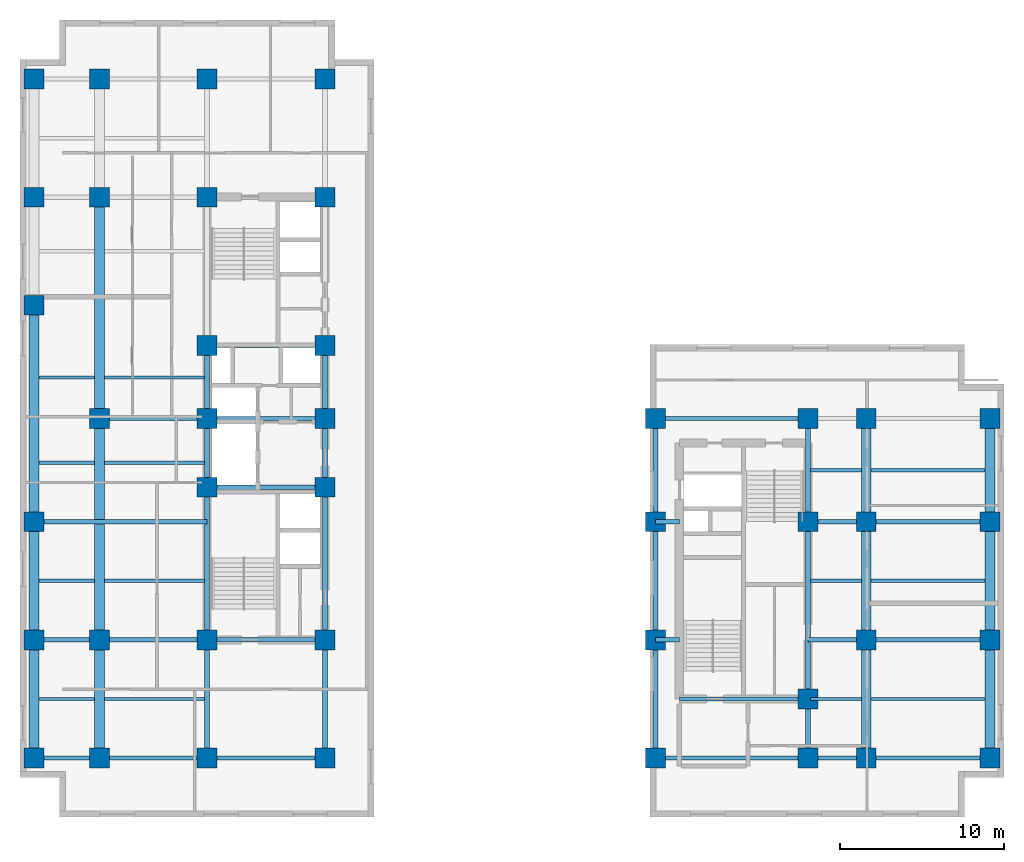
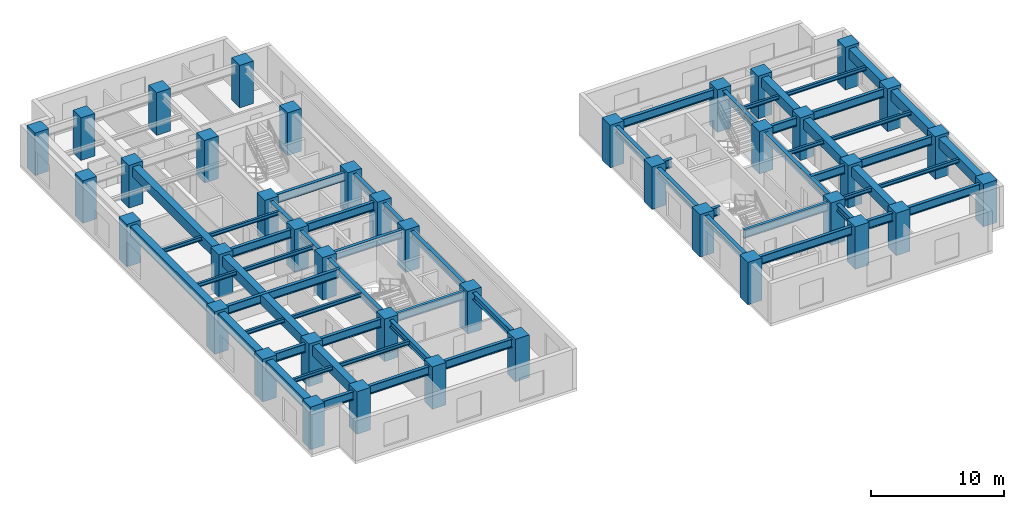
# One storey, part 1 of 9: 62 beams, 41 columns.
"""IFC4 building model written with IfcOpenShell, lengths in metres."""

import ifcopenshell
import ifcopenshell.guid

model = None  # the IFC model being written
_history = None  # IfcOwnerHistory: only IFC2X3 demands one
_inside = {}  # id of a spatial element -> (the spatial element, [elements in it])
_under = {}  # id of a project, library or spatial element -> (it, [spatial elements below it])
_declared = {}  # id of a project -> (the project, [libraries it declares])
_typed = {}  # id of a type object -> (the type object, [elements of that type])
_made_of = {}  # id of a material, layer set ... -> (it, [elements and type objects made of it])


def new_model(schema):
    """Start an empty IFC model of exactly this schema.

    Asked for "IFC4X3", IfcOpenShell would pick the latest addendum, in which some entities
    have other attributes; the version numbers below select the first issue.
    IFC2X3 requires an IfcOwnerHistory on every rooted entity: one is made here for all.
    """
    global model, _history
    if schema == "IFC4X3":
        model = ifcopenshell.file(schema_version=(4, 3, 0, 0))
    else:
        model = ifcopenshell.file(schema=schema)
    _inside.clear()
    _under.clear()
    _declared.clear()
    _typed.clear()
    _made_of.clear()
    _history = None
    if model.schema == "IFC2X3":
        org = make("IfcOrganization", Name="unknown")
        user = make(
            "IfcPersonAndOrganization",
            ThePerson=make("IfcPerson", FamilyName="unknown"),
            TheOrganization=org,
        )
        app = make(
            "IfcApplication",
            ApplicationDeveloper=org,
            Version="unknown",
            ApplicationFullName="unknown",
            ApplicationIdentifier="unknown",
        )
        _history = make(
            "IfcOwnerHistory",
            OwningUser=user,
            OwningApplication=app,
            ChangeAction="ADDED",
            CreationDate=0,
        )
    return model


def make(cls, **values):
    """One entity of the class cls with the attributes given. An attribute that is None is left unset."""
    return model.create_entity(
        cls, **{name: value for name, value in values.items() if value is not None}
    )


def entity(cls, *values):
    """Any entity or typed value of the class cls, its attributes in the order of the schema. None: left unset."""
    e = model.create_entity(cls)
    for i, value in enumerate(values):
        if value is not None:
            e[i] = value
    return e


def rooted(cls, **values):
    """An entity with a GlobalId (a new one), such as an element, a storey or a relation."""
    return make(cls, GlobalId=ifcopenshell.guid.new(), OwnerHistory=_history, **values)


def si_unit(unit_type, name, prefix=None):
    """IfcSIUnit, for example si_unit("LENGTHUNIT", "METRE", prefix="MILLI")."""
    return make("IfcSIUnit", UnitType=unit_type, Prefix=prefix, Name=name)


def converted_unit(unit_type, name, factor, base, dimensions=None, offset=None):
    """IfcConversionBasedUnit, such as the inch: factor (a typed value) times the base unit."""
    return make(
        "IfcConversionBasedUnit"
        if offset is None
        else "IfcConversionBasedUnitWithOffset",
        ConversionOffset=offset,
        Dimensions=None
        if dimensions is None
        else entity("IfcDimensionalExponents", *dimensions),
        UnitType=unit_type,
        Name=name,
        ConversionFactor=make(
            "IfcMeasureWithUnit", ValueComponent=factor, UnitComponent=base
        ),
    )


def assignment(units):
    """IfcUnitAssignment: the units of a project."""
    return None if units is None else make("IfcUnitAssignment", Units=units)


def point(xyz):
    """IfcCartesianPoint."""
    return None if xyz is None else make("IfcCartesianPoint", Coordinates=xyz)


def direction(xyz):
    """IfcDirection."""
    return None if xyz is None else make("IfcDirection", DirectionRatios=xyz)


def frame(location, z_axis=None, x_axis=None):
    """IfcAxis2Placement3D, a coordinate frame: its origin and axes. An axis left out is left unset."""
    return make(
        "IfcAxis2Placement3D",
        Location=point(location),
        Axis=direction(z_axis),
        RefDirection=direction(x_axis),
    )


def frame_2d(location, x_axis=None):
    """IfcAxis2Placement2D, a coordinate frame in the plane: its origin and x axis."""
    return make(
        "IfcAxis2Placement2D", Location=point(location), RefDirection=direction(x_axis)
    )


def origin_with_axes():
    """The frame at (0, 0, 0) with the z axis (0, 0, 1) and the x axis (1, 0, 0) written out."""
    return frame((0.0, 0.0, 0.0), z_axis=(0.0, 0.0, 1.0), x_axis=(1.0, 0.0, 0.0))


def origin_2d_with_axis():
    """The frame at (0, 0) in the plane with the x axis (1, 0) written out."""
    return frame_2d((0.0, 0.0), x_axis=(1.0, 0.0))


def place(relative_to, where):
    """IfcLocalPlacement: puts the frame where relative to a parent placement (None: the world)."""
    return make(
        "IfcLocalPlacement", PlacementRelTo=relative_to, RelativePlacement=where
    )


def context(
    kind, dimensions, precision=None, world=None, true_north=None, identifier=None
):
    """IfcGeometricRepresentationContext, for example the 3D "Model" context."""
    return make(
        "IfcGeometricRepresentationContext",
        ContextIdentifier=identifier,
        ContextType=kind,
        CoordinateSpaceDimension=dimensions,
        Precision=precision,
        WorldCoordinateSystem=world,
        TrueNorth=true_north,
    )


def subcontext(parent, identifier, kind, view, scale=None):
    """IfcGeometricRepresentationSubContext, for example "Body" below "Model"."""
    return make(
        "IfcGeometricRepresentationSubContext",
        ContextIdentifier=identifier,
        ContextType=kind,
        ParentContext=parent,
        TargetScale=scale,
        TargetView=view,
    )


def project(units=None, contexts=None):
    """IfcProject with its units and contexts."""
    return rooted(
        "IfcProject",
        Name="project",
        RepresentationContexts=contexts,
        UnitsInContext=assignment(units),
    )


def spatial(cls, under=None, at=None, **own):
    """A site, building, storey or space (cls), placed at a placement, below another one or the project."""
    s = rooted(cls, ObjectPlacement=at, **own)
    if under is not None:
        _under.setdefault(under.id(), (under, []))[1].append(s)
    return s


def profile(cls, at=None, kind="AREA", **sizes):
    """A parametric profile (cls). Its sizes go by their IFC names, for example OverallWidth=200.0."""
    return make(cls, ProfileType=kind, Position=at, **sizes)


def rectangle(**sizes):
    """IfcRectangleProfileDef."""
    return profile("IfcRectangleProfileDef", **sizes)


def i_section(**sizes):
    """IfcIShapeProfileDef."""
    return profile("IfcIShapeProfileDef", **sizes)


def extrude(swept, where, along, depth):
    """IfcExtrudedAreaSolid: the profile swept, set in the frame where, extruded along a direction by depth."""
    return make(
        "IfcExtrudedAreaSolid",
        SweptArea=swept,
        Position=where,
        ExtrudedDirection=direction(along),
        Depth=depth,
    )


def shape(context_of_items, identifier, shape_type, items):
    """IfcShapeRepresentation: the items that make up one representation, for example the "Body"."""
    return make(
        "IfcShapeRepresentation",
        ContextOfItems=context_of_items,
        RepresentationIdentifier=identifier,
        RepresentationType=shape_type,
        Items=items,
    )


def material(Name=None, Category=None):
    """IfcMaterial."""
    return make("IfcMaterial", Name=Name, Category=Category)


def material_profile(
    of_material, cross_section, Name=None, Category=None, Priority=None
):
    """IfcMaterialProfile: a cross section and its material."""
    return make(
        "IfcMaterialProfile",
        Name=Name,
        Material=of_material,
        Profile=cross_section,
        Priority=Priority,
        Category=Category,
    )


def profile_set(profiles, Name=None, composite=None):
    """IfcMaterialProfileSet."""
    return make(
        "IfcMaterialProfileSet",
        Name=Name,
        MaterialProfiles=profiles,
        CompositeProfile=composite,
    )


def made_of(thing, what):
    """Note that an element or type object is made of a material, layer set ...; save() writes the relation."""
    if what is not None:
        _made_of.setdefault(what.id(), (what, []))[1].append(thing)
    return thing


def type_object(cls, material=None, **own):
    """A type object (cls), such as IfcWallType, which elements share."""
    return made_of(rooted(cls, **own), material)


def element(
    cls,
    number,
    at=None,
    inside=None,
    cuts=None,
    type_object=None,
    material=None,
    context=None,
    identifier="Body",
    shape_type=None,
    held_by="IfcProductDefinitionShape",
    body=None,
    shapes=None,
    **own,
):
    """One element of the class cls, such as IfcWall. Its Tag is "e" and its number.

    at: its placement. inside: the storey or other place that contains it. cuts: it is an
    opening in that element (IfcRelVoidsElement). A single representation is given by context,
    identifier, shape_type and body (its items); several are given by shapes. held_by: the class
    of the entity that holds the representations. save() writes the other relations.
    """
    e = rooted(cls, Tag="e%d" % number, ObjectPlacement=at, **own)
    if body is not None:
        shapes = [shape(context, identifier, shape_type, body)]
    if shapes is not None:
        e.Representation = make(held_by, Representations=shapes)
    if inside is not None:
        _inside.setdefault(inside.id(), (inside, []))[1].append(e)
    if cuts is not None:
        rooted(
            "IfcRelVoidsElement", RelatingBuildingElement=cuts, RelatedOpeningElement=e
        )
    if type_object is not None:
        _typed.setdefault(type_object.id(), (type_object, []))[1].append(e)
    return made_of(e, material)


def aggregate(whole, parts):
    """IfcRelAggregates: a whole, such as a stair, and the parts it consists of."""
    return rooted("IfcRelAggregates", RelatingObject=whole, RelatedObjects=parts)


def save(model, path):
    """Write the relations noted so far, then the file.

    IfcRelAggregates (storeys below a building ...), IfcRelContainedInSpatialStructure (elements
    in a storey), IfcRelDefinesByType, IfcRelAssociatesMaterial and IfcRelDeclares: one each for
    every whole, place, type object, material and project.
    """
    for whole, parts in _under.values():
        aggregate(whole, parts)
    for where, things in _inside.values():
        rooted(
            "IfcRelContainedInSpatialStructure",
            RelatedElements=things,
            RelatingStructure=where,
        )
    for kind, things in _typed.values():
        rooted("IfcRelDefinesByType", RelatedObjects=things, RelatingType=kind)
    for what, things in _made_of.values():
        rooted("IfcRelAssociatesMaterial", RelatedObjects=things, RelatingMaterial=what)
    for by, libraries in _declared.values():
        rooted("IfcRelDeclares", RelatingContext=by, RelatedDefinitions=libraries)
    model.write(path)


model = new_model("IFC4")

# Units and contexts
model_context = context("Model", 3, precision=1e-05, world=origin_with_axes(), true_north=direction((0.0, 1.0)))
body_context = subcontext(model_context, "Body", "Model", "MODEL_VIEW")
ifc_project = project(units=[si_unit("LENGTHUNIT", "METRE"), si_unit("AREAUNIT", "SQUARE_METRE"), si_unit("VOLUMEUNIT", "CUBIC_METRE"), converted_unit("PLANEANGLEUNIT", "DEGREE", entity("IfcPlaneAngleMeasure", 0.017453292519943295), si_unit("PLANEANGLEUNIT", "RADIAN"), dimensions=[0, 0, 0, 0, 0, 0, 0]), si_unit("MASSUNIT", "GRAM", prefix="KILO"), si_unit("THERMODYNAMICTEMPERATUREUNIT", "KELVIN")], contexts=[model_context])

# Site, building, storey
site_placement = place(None, origin_with_axes())
site = spatial("IfcSite", under=ifc_project, at=site_placement, CompositionType="ELEMENT")
building_placement = place(site_placement, origin_with_axes())
building = spatial("IfcBuilding", under=site, at=building_placement, Name="Varnlund Millrace Tower", CompositionType="ELEMENT")
storey_placement = place(building_placement, frame((0.0, 0.0, 112.5), z_axis=(0.0, 0.0, 1.0), x_axis=(1.0, 0.0, 0.0)))
storey = spatial("IfcBuildingStorey", under=building, at=storey_placement, Name="L27", CompositionType="ELEMENT", Elevation=112.5)

# Columns
ifc_material_1 = material(Name="Concrete C80/95", Category="concrete")
ifc_material_profile_1 = material_profile(ifc_material_1, rectangle(XDim=1.2, YDim=1.2, at=origin_2d_with_axis()), Name="Concrete C80/95")
ifc_profile_set_1 = profile_set([ifc_material_profile_1], Name="Concrete C80/95")
column_type = type_object("IfcColumnType", Name="Type-Col-RC1200-C80", PredefinedType="COLUMN", material=ifc_profile_set_1)
for number, where, z_axis, x_axis, name in (
    (1, (11.4, 3.6, 0.0), (0.0, 0.0, 1.0), (1.0, 0.0, 0.0), "Type-Col-RC1200-C80"),
    (2, (11.4, 10.8, 0.0), (0.0, 0.0, 1.0), (1.0, 0.0, 0.0), "Type-Col-RC1200-C80"),
    (3, (11.4, 20.1, 0.0), (0.0, 0.0, 1.0), (1.0, 0.0, 0.0), "Type-Col-RC1200-C80"),
    (4, (11.4, 24.3, 0.0), (0.0, 0.0, 1.0), (1.0, 0.0, 0.0), "Type-Col-RC1200-C80"),
    (5, (11.4, 28.75, 0.0), (0.0, 0.0, 1.0), (1.0, 0.0, 0.0), "Type-Col-RC1200-C80"),
    (6, (11.4, 37.8, 0.0), (0.0, 0.0, 1.0), (1.0, 0.0, 0.0), "Type-Col-RC1200-C80"),
    (7, (11.4, 45.0, 0.0), (0.0, 0.0, 1.0), (1.0, 0.0, 0.0), "Type-Col-RC1200-C80"),
    (8, (18.6, 3.6, 0.0), (0.0, 0.0, 1.0), (1.0, 0.0, 0.0), "Type-Col-RC1200-C80"),
    (9, (18.6, 10.8, 0.0), (0.0, 0.0, 1.0), (1.0, 0.0, 0.0), "Type-Col-RC1200-C80"),
    (10, (18.6, 20.1, 0.0), (0.0, 0.0, 1.0), (1.0, 0.0, 0.0), "Type-Col-RC1200-C80"),
    (11, (18.6, 24.3, 0.0), (0.0, 0.0, 1.0), (1.0, 0.0, 0.0), "Type-Col-RC1200-C80"),
    (12, (18.6, 28.75, 0.0), (0.0, 0.0, 1.0), (1.0, 0.0, 0.0), "Type-Col-RC1200-C80"),
    (13, (18.6, 37.8, 0.0), (0.0, 0.0, 1.0), (1.0, 0.0, 0.0), "Type-Col-RC1200-C80"),
    (14, (18.6, 45.0, 0.0), (0.0, 0.0, 1.0), (1.0, 0.0, 0.0), "Type-Col-RC1200-C80"),
    (15, (4.85, 3.6, 0.0), (0.0, 0.0, 1.0), (1.0, 0.0, 0.0), "Type-Col-RC1200-C80"),
    (16, (4.85, 10.8, 0.0), (0.0, 0.0, 1.0), (1.0, 0.0, 0.0), "Type-Col-RC1200-C80"),
    (17, (4.85, 24.3, 0.0), (0.0, 0.0, 1.0), (1.0, 0.0, 0.0), "Type-Col-RC1200-C80"),
    (18, (4.85, 37.8, 0.0), (0.0, 0.0, 1.0), (1.0, 0.0, 0.0), "Type-Col-RC1200-C80"),
    (19, (4.85, 45.0, 0.0), (0.0, 0.0, 1.0), (1.0, 0.0, 0.0), "Type-Col-RC1200-C80"),
    (20, (0.85, 3.6, 0.0), (0.0, 0.0, 1.0), (1.0, 0.0, 0.0), "Type-Col-RC1200-C80"),
    (21, (0.85, 10.8, 0.0), (0.0, 0.0, 1.0), (1.0, 0.0, 0.0), "Type-Col-RC1200-C80"),
    (22, (0.85, 18.0, 0.0), (0.0, 0.0, 1.0), (1.0, 0.0, 0.0), "Type-Col-RC1200-C80"),
    (23, (0.85, 31.2, 0.0), (0.0, 0.0, 1.0), (1.0, 0.0, 0.0), "Type-Col-RC1200-C80"),
    (24, (0.85, 37.8, 0.0), (0.0, 0.0, 1.0), (1.0, 0.0, 0.0), "Type-Col-RC1200-C80"),
    (25, (0.85, 45.0, 0.0), (0.0, 0.0, 1.0), (1.0, 0.0, 0.0), "Type-Col-RC1200-C80"),
    (26, (38.75, 3.6, 0.0), (0.0, 0.0, 1.0), (1.0, 0.0, 0.0), "Type-Col-RC1200-C80"),
    (27, (38.75, 10.8, 0.0), (0.0, 0.0, 1.0), (1.0, 0.0, 0.0), "Type-Col-RC1200-C80"),
    (28, (38.75, 18.0, 0.0), (0.0, 0.0, 1.0), (1.0, 0.0, 0.0), "Type-Col-RC1200-C80"),
    (29, (38.75, 24.3, 0.0), (0.0, 0.0, 1.0), (1.0, 0.0, 0.0), "Type-Col-RC1200-C80"),
    (30, (48.05, 3.6, 0.0), (0.0, 0.0, 1.0), (1.0, 0.0, 0.0), "Type-Col-RC1200-C80"),
    (31, (48.05, 7.2, 0.0), (0.0, 0.0, 1.0), (1.0, 0.0, 0.0), "Type-Col-RC1200-C80"),
    (32, (48.05, 18.0, 0.0), (0.0, 0.0, 1.0), (1.0, 0.0, 0.0), "Type-Col-RC1200-C80"),
    (33, (48.05, 24.3, 0.0), (0.0, 0.0, 1.0), (1.0, 0.0, 0.0), "Type-Col-RC1200-C80"),
    (34, (51.6, 3.6, 0.0), (0.0, 0.0, 1.0), (1.0, 0.0, 0.0), "Type-Col-RC1200-C80"),
    (35, (51.6, 10.8, 0.0), (0.0, 0.0, 1.0), (1.0, 0.0, 0.0), "Type-Col-RC1200-C80"),
    (36, (51.6, 18.0, 0.0), (0.0, 0.0, 1.0), (1.0, 0.0, 0.0), "Type-Col-RC1200-C80"),
    (37, (51.6, 24.3, 0.0), (0.0, 0.0, 1.0), (1.0, 0.0, 0.0), "Type-Col-RC1200-C80"),
    (38, (59.15, 3.6, 0.0), (0.0, 0.0, 1.0), (1.0, 0.0, 0.0), "Type-Col-RC1200-C80"),
    (39, (59.15, 10.8, 0.0), (0.0, 0.0, 1.0), (1.0, 0.0, 0.0), "Type-Col-RC1200-C80"),
    (40, (59.15, 18.0, 0.0), (0.0, 0.0, 1.0), (1.0, 0.0, 0.0), "Type-Col-RC1200-C80"),
    (41, (59.15, 24.3, 0.0), (0.0, 0.0, 1.0), (1.0, 0.0, 0.0), "Type-Col-RC1200-C80"),
):
    element("IfcColumn", number, at=place(storey_placement, frame(where, z_axis=z_axis, x_axis=x_axis)), inside=storey, type_object=column_type, Name=name, PredefinedType="COLUMN", context=body_context, shape_type="SweptSolid", body=[
        extrude(rectangle(XDim=1.2, YDim=1.2, at=origin_2d_with_axis()), origin_with_axes(), (0.0, 0.0, 1.0), 3.9),
    ])

# Beams
ifc_material_2 = material(Name="Steel ASTM A992 Grade 50", Category="steel")
ifc_material_profile_2 = material_profile(ifc_material_2, i_section(OverallWidth=0.328, OverallDepth=0.628, WebThickness=0.0165, FlangeThickness=0.0277, FilletRadius=0.018, at=origin_2d_with_axis()), Name="Steel ASTM A992 Grade 50")
ifc_profile_set_2 = profile_set([ifc_material_profile_2], Name="Steel ASTM A992 Grade 50")
beam_type_1 = type_object("IfcBeamType", Name="Type-Girder-W24X146", PredefinedType="USERDEFINED", material=ifc_profile_set_2)
beam_1_placement = place(storey_placement, frame((11.4, 3.6, 3.346), z_axis=(0.0, 1.0, 0.0), x_axis=(-1.0, 0.0, 0.0)))
element("IfcBeam", 42, at=beam_1_placement, inside=storey, type_object=beam_type_1, Name="Type-Girder-W24X146", ObjectType="GIRDER", PredefinedType="USERDEFINED", context=body_context, shape_type="SweptSolid", body=[
    extrude(i_section(OverallWidth=0.328, OverallDepth=0.628, WebThickness=0.0165, FlangeThickness=0.0277, FilletRadius=0.018, at=origin_2d_with_axis()), origin_with_axes(), (0.0, 0.0, 1.0), 7.2),
])
beam_2_placement = place(storey_placement, frame((11.4, 10.8, 3.346), z_axis=(0.0, 1.0, 0.0), x_axis=(-1.0, 0.0, 0.0)))
element("IfcBeam", 43, at=beam_2_placement, inside=storey, type_object=beam_type_1, Name="Type-Girder-W24X146", ObjectType="GIRDER", PredefinedType="USERDEFINED", context=body_context, shape_type="SweptSolid", body=[
    extrude(i_section(OverallWidth=0.328, OverallDepth=0.628, WebThickness=0.0165, FlangeThickness=0.0277, FilletRadius=0.018, at=origin_2d_with_axis()), origin_with_axes(), (0.0, 0.0, 1.0), 9.3),
])
beam_3_placement = place(storey_placement, frame((11.4, 20.1, 3.346), z_axis=(0.0, 1.0, 0.0), x_axis=(-1.0, 0.0, 0.0)))
element("IfcBeam", 44, at=beam_3_placement, inside=storey, type_object=beam_type_1, Name="Type-Girder-W24X146", ObjectType="GIRDER", PredefinedType="USERDEFINED", context=body_context, shape_type="SweptSolid", body=[
    extrude(i_section(OverallWidth=0.328, OverallDepth=0.628, WebThickness=0.0165, FlangeThickness=0.0277, FilletRadius=0.018, at=origin_2d_with_axis()), origin_with_axes(), (0.0, 0.0, 1.0), 4.2),
])
beam_4_placement = place(storey_placement, frame((11.4, 24.3, 3.346), z_axis=(0.0, 1.0, 0.0), x_axis=(-1.0, 0.0, 0.0)))
element("IfcBeam", 45, at=beam_4_placement, inside=storey, type_object=beam_type_1, Name="Type-Girder-W24X146", ObjectType="GIRDER", PredefinedType="USERDEFINED", context=body_context, shape_type="SweptSolid", body=[
    extrude(i_section(OverallWidth=0.328, OverallDepth=0.628, WebThickness=0.0165, FlangeThickness=0.0277, FilletRadius=0.018, at=origin_2d_with_axis()), origin_with_axes(), (0.0, 0.0, 1.0), 4.45),
])
beam_5_placement = place(storey_placement, frame((18.6, 3.6, 3.346), z_axis=(0.0, 1.0, 0.0), x_axis=(-1.0, 0.0, 0.0)))
element("IfcBeam", 46, at=beam_5_placement, inside=storey, type_object=beam_type_1, Name="Type-Girder-W24X146", ObjectType="GIRDER", PredefinedType="USERDEFINED", context=body_context, shape_type="SweptSolid", body=[
    extrude(i_section(OverallWidth=0.328, OverallDepth=0.628, WebThickness=0.0165, FlangeThickness=0.0277, FilletRadius=0.018, at=origin_2d_with_axis()), origin_with_axes(), (0.0, 0.0, 1.0), 7.2),
])
beam_6_placement = place(storey_placement, frame((18.6, 10.8, 3.346), z_axis=(0.0, 1.0, 0.0), x_axis=(-1.0, 0.0, 0.0)))
element("IfcBeam", 47, at=beam_6_placement, inside=storey, type_object=beam_type_1, Name="Type-Girder-W24X146", ObjectType="GIRDER", PredefinedType="USERDEFINED", context=body_context, shape_type="SweptSolid", body=[
    extrude(i_section(OverallWidth=0.328, OverallDepth=0.628, WebThickness=0.0165, FlangeThickness=0.0277, FilletRadius=0.018, at=origin_2d_with_axis()), origin_with_axes(), (0.0, 0.0, 1.0), 9.3),
])
beam_7_placement = place(storey_placement, frame((18.6, 20.1, 3.346), z_axis=(0.0, 1.0, 0.0), x_axis=(-1.0, 0.0, 0.0)))
element("IfcBeam", 48, at=beam_7_placement, inside=storey, type_object=beam_type_1, Name="Type-Girder-W24X146", ObjectType="GIRDER", PredefinedType="USERDEFINED", context=body_context, shape_type="SweptSolid", body=[
    extrude(i_section(OverallWidth=0.328, OverallDepth=0.628, WebThickness=0.0165, FlangeThickness=0.0277, FilletRadius=0.018, at=origin_2d_with_axis()), origin_with_axes(), (0.0, 0.0, 1.0), 4.2),
])
beam_8_placement = place(storey_placement, frame((18.6, 24.3, 3.346), z_axis=(0.0, 1.0, 0.0), x_axis=(-1.0, 0.0, 0.0)))
element("IfcBeam", 49, at=beam_8_placement, inside=storey, type_object=beam_type_1, Name="Type-Girder-W24X146", ObjectType="GIRDER", PredefinedType="USERDEFINED", context=body_context, shape_type="SweptSolid", body=[
    extrude(i_section(OverallWidth=0.328, OverallDepth=0.628, WebThickness=0.0165, FlangeThickness=0.0277, FilletRadius=0.018, at=origin_2d_with_axis()), origin_with_axes(), (0.0, 0.0, 1.0), 4.45),
])
for number, where, z_axis, x_axis, name in (
    (50, (38.75, 3.6, 3.346), (0.0, 1.0, 0.0), (-1.0, 0.0, 0.0), "Type-Girder-W24X146"),
    (51, (38.75, 10.8, 3.346), (0.0, 1.0, 0.0), (-1.0, 0.0, 0.0), "Type-Girder-W24X146"),
):
    element("IfcBeam", number, at=place(storey_placement, frame(where, z_axis=z_axis, x_axis=x_axis)), inside=storey, type_object=beam_type_1, Name=name, ObjectType="GIRDER", PredefinedType="USERDEFINED", context=body_context, shape_type="SweptSolid", body=[
        extrude(i_section(OverallWidth=0.328, OverallDepth=0.628, WebThickness=0.0165, FlangeThickness=0.0277, FilletRadius=0.018, at=origin_2d_with_axis()), origin_with_axes(), (0.0, 0.0, 1.0), 7.2),
    ])
beam_9_placement = place(storey_placement, frame((38.75, 18.0, 3.346), z_axis=(0.0, 1.0, 0.0), x_axis=(-1.0, 0.0, 0.0)))
element("IfcBeam", 52, at=beam_9_placement, inside=storey, type_object=beam_type_1, Name="Type-Girder-W24X146", ObjectType="GIRDER", PredefinedType="USERDEFINED", context=body_context, shape_type="SweptSolid", body=[
    extrude(i_section(OverallWidth=0.328, OverallDepth=0.628, WebThickness=0.0165, FlangeThickness=0.0277, FilletRadius=0.018, at=origin_2d_with_axis()), origin_with_axes(), (0.0, 0.0, 1.0), 6.3),
])
beam_10_placement = place(storey_placement, frame((48.05, 3.6, 3.346), z_axis=(0.0, 1.0, 0.0), x_axis=(-1.0, 0.0, 0.0)))
element("IfcBeam", 53, at=beam_10_placement, inside=storey, type_object=beam_type_1, Name="Type-Girder-W24X146", ObjectType="GIRDER", PredefinedType="USERDEFINED", context=body_context, shape_type="SweptSolid", body=[
    extrude(i_section(OverallWidth=0.328, OverallDepth=0.628, WebThickness=0.0165, FlangeThickness=0.0277, FilletRadius=0.018, at=origin_2d_with_axis()), origin_with_axes(), (0.0, 0.0, 1.0), 3.6),
])
beam_11_placement = place(storey_placement, frame((48.05, 7.2, 3.346), z_axis=(0.0, 1.0, 0.0), x_axis=(-1.0, 0.0, 0.0)))
element("IfcBeam", 54, at=beam_11_placement, inside=storey, type_object=beam_type_1, Name="Type-Girder-W24X146", ObjectType="GIRDER", PredefinedType="USERDEFINED", context=body_context, shape_type="SweptSolid", body=[
    extrude(i_section(OverallWidth=0.328, OverallDepth=0.628, WebThickness=0.0165, FlangeThickness=0.0277, FilletRadius=0.018, at=origin_2d_with_axis()), origin_with_axes(), (0.0, 0.0, 1.0), 10.8),
])
beam_12_placement = place(storey_placement, frame((48.05, 18.0, 3.346), z_axis=(0.0, 1.0, 0.0), x_axis=(-1.0, 0.0, 0.0)))
element("IfcBeam", 55, at=beam_12_placement, inside=storey, type_object=beam_type_1, Name="Type-Girder-W24X146", ObjectType="GIRDER", PredefinedType="USERDEFINED", context=body_context, shape_type="SweptSolid", body=[
    extrude(i_section(OverallWidth=0.328, OverallDepth=0.628, WebThickness=0.0165, FlangeThickness=0.0277, FilletRadius=0.018, at=origin_2d_with_axis()), origin_with_axes(), (0.0, 0.0, 1.0), 6.3),
])
ifc_material_profile_3 = material_profile(ifc_material_2, i_section(OverallWidth=0.266, OverallDepth=0.779, WebThickness=0.0165, FlangeThickness=0.03, FilletRadius=0.02, at=origin_2d_with_axis()), Name="Steel ASTM A992 Grade 50")
ifc_profile_set_3 = profile_set([ifc_material_profile_3], Name="Steel ASTM A992 Grade 50")
beam_type_2 = type_object("IfcBeamType", Name="Type-Girder-W30X148", PredefinedType="USERDEFINED", material=ifc_profile_set_3)
beam_13_placement = place(storey_placement, frame((0.85, 3.6, 3.2705), z_axis=(1.0, 0.0, 0.0), x_axis=(0.0, 1.0, 0.0)))
element("IfcBeam", 56, at=beam_13_placement, inside=storey, type_object=beam_type_2, Name="Type-Girder-W30X148", ObjectType="GIRDER", PredefinedType="USERDEFINED", context=body_context, shape_type="SweptSolid", body=[
    extrude(i_section(OverallWidth=0.266, OverallDepth=0.779, WebThickness=0.0165, FlangeThickness=0.03, FilletRadius=0.02, at=origin_2d_with_axis()), origin_with_axes(), (0.0, 0.0, 1.0), 4.0),
])
beam_14_placement = place(storey_placement, frame((4.85, 3.6, 3.2705), z_axis=(1.0, 0.0, 0.0), x_axis=(0.0, 1.0, 0.0)))
element("IfcBeam", 57, at=beam_14_placement, inside=storey, type_object=beam_type_2, Name="Type-Girder-W30X148", ObjectType="GIRDER", PredefinedType="USERDEFINED", context=body_context, shape_type="SweptSolid", body=[
    extrude(i_section(OverallWidth=0.266, OverallDepth=0.779, WebThickness=0.0165, FlangeThickness=0.03, FilletRadius=0.02, at=origin_2d_with_axis()), origin_with_axes(), (0.0, 0.0, 1.0), 6.55),
])
beam_15_placement = place(storey_placement, frame((11.4, 3.6, 3.2705), z_axis=(1.0, 0.0, 0.0), x_axis=(0.0, 1.0, 0.0)))
element("IfcBeam", 58, at=beam_15_placement, inside=storey, type_object=beam_type_2, Name="Type-Girder-W30X148", ObjectType="GIRDER", PredefinedType="USERDEFINED", context=body_context, shape_type="SweptSolid", body=[
    extrude(i_section(OverallWidth=0.266, OverallDepth=0.779, WebThickness=0.0165, FlangeThickness=0.03, FilletRadius=0.02, at=origin_2d_with_axis()), origin_with_axes(), (0.0, 0.0, 1.0), 7.2),
])
beam_16_placement = place(storey_placement, frame((38.75, 3.6, 3.2705), z_axis=(1.0, 0.0, 0.0), x_axis=(0.0, 1.0, 0.0)))
element("IfcBeam", 59, at=beam_16_placement, inside=storey, type_object=beam_type_2, Name="Type-Girder-W30X148", ObjectType="GIRDER", PredefinedType="USERDEFINED", context=body_context, shape_type="SweptSolid", body=[
    extrude(i_section(OverallWidth=0.266, OverallDepth=0.779, WebThickness=0.0165, FlangeThickness=0.03, FilletRadius=0.02, at=origin_2d_with_axis()), origin_with_axes(), (0.0, 0.0, 1.0), 9.3),
])
beam_17_placement = place(storey_placement, frame((48.05, 3.6, 3.2705), z_axis=(1.0, 0.0, 0.0), x_axis=(0.0, 1.0, 0.0)))
element("IfcBeam", 60, at=beam_17_placement, inside=storey, type_object=beam_type_2, Name="Type-Girder-W30X148", ObjectType="GIRDER", PredefinedType="USERDEFINED", context=body_context, shape_type="SweptSolid", body=[
    extrude(i_section(OverallWidth=0.266, OverallDepth=0.779, WebThickness=0.0165, FlangeThickness=0.03, FilletRadius=0.02, at=origin_2d_with_axis()), origin_with_axes(), (0.0, 0.0, 1.0), 3.55),
])
beam_18_placement = place(storey_placement, frame((51.6, 3.6, 3.2705), z_axis=(1.0, 0.0, 0.0), x_axis=(0.0, 1.0, 0.0)))
element("IfcBeam", 61, at=beam_18_placement, inside=storey, type_object=beam_type_2, Name="Type-Girder-W30X148", ObjectType="GIRDER", PredefinedType="USERDEFINED", context=body_context, shape_type="SweptSolid", body=[
    extrude(i_section(OverallWidth=0.266, OverallDepth=0.779, WebThickness=0.0165, FlangeThickness=0.03, FilletRadius=0.02, at=origin_2d_with_axis()), origin_with_axes(), (0.0, 0.0, 1.0), 7.55),
])
beam_19_placement = place(storey_placement, frame((40.2, 7.2, 3.2705), z_axis=(1.0, 0.0, 0.0), x_axis=(0.0, 1.0, 0.0)))
element("IfcBeam", 62, at=beam_19_placement, inside=storey, type_object=beam_type_2, Name="Type-Girder-W30X148", ObjectType="GIRDER", PredefinedType="USERDEFINED", context=body_context, shape_type="SweptSolid", body=[
    extrude(i_section(OverallWidth=0.266, OverallDepth=0.779, WebThickness=0.0165, FlangeThickness=0.03, FilletRadius=0.02, at=origin_2d_with_axis()), origin_with_axes(), (0.0, 0.0, 1.0), 7.85),
])
beam_20_placement = place(storey_placement, frame((0.85, 10.8, 3.2705), z_axis=(1.0, 0.0, 0.0), x_axis=(0.0, 1.0, 0.0)))
element("IfcBeam", 63, at=beam_20_placement, inside=storey, type_object=beam_type_2, Name="Type-Girder-W30X148", ObjectType="GIRDER", PredefinedType="USERDEFINED", context=body_context, shape_type="SweptSolid", body=[
    extrude(i_section(OverallWidth=0.266, OverallDepth=0.779, WebThickness=0.0165, FlangeThickness=0.03, FilletRadius=0.02, at=origin_2d_with_axis()), origin_with_axes(), (0.0, 0.0, 1.0), 4.0),
])
beam_21_placement = place(storey_placement, frame((4.85, 10.8, 3.2705), z_axis=(1.0, 0.0, 0.0), x_axis=(0.0, 1.0, 0.0)))
element("IfcBeam", 64, at=beam_21_placement, inside=storey, type_object=beam_type_2, Name="Type-Girder-W30X148", ObjectType="GIRDER", PredefinedType="USERDEFINED", context=body_context, shape_type="SweptSolid", body=[
    extrude(i_section(OverallWidth=0.266, OverallDepth=0.779, WebThickness=0.0165, FlangeThickness=0.03, FilletRadius=0.02, at=origin_2d_with_axis()), origin_with_axes(), (0.0, 0.0, 1.0), 6.55),
])
beam_22_placement = place(storey_placement, frame((11.4, 10.8, 3.2705), z_axis=(1.0, 0.0, 0.0), x_axis=(0.0, 1.0, 0.0)))
element("IfcBeam", 65, at=beam_22_placement, inside=storey, type_object=beam_type_2, Name="Type-Girder-W30X148", ObjectType="GIRDER", PredefinedType="USERDEFINED", context=body_context, shape_type="SweptSolid", body=[
    extrude(i_section(OverallWidth=0.266, OverallDepth=0.779, WebThickness=0.0165, FlangeThickness=0.03, FilletRadius=0.02, at=origin_2d_with_axis()), origin_with_axes(), (0.0, 0.0, 1.0), 7.2),
])
beam_23_placement = place(storey_placement, frame((38.75, 10.8, 3.2705), z_axis=(1.0, 0.0, 0.0), x_axis=(0.0, 1.0, 0.0)))
element("IfcBeam", 66, at=beam_23_placement, inside=storey, type_object=beam_type_2, Name="Type-Girder-W30X148", ObjectType="GIRDER", PredefinedType="USERDEFINED", context=body_context, shape_type="SweptSolid", body=[
    extrude(i_section(OverallWidth=0.266, OverallDepth=0.779, WebThickness=0.0165, FlangeThickness=0.03, FilletRadius=0.02, at=origin_2d_with_axis()), origin_with_axes(), (0.0, 0.0, 1.0), 1.45),
])
beam_24_placement = place(storey_placement, frame((48.05, 10.8, 3.2705), z_axis=(1.0, 0.0, 0.0), x_axis=(0.0, 1.0, 0.0)))
element("IfcBeam", 67, at=beam_24_placement, inside=storey, type_object=beam_type_2, Name="Type-Girder-W30X148", ObjectType="GIRDER", PredefinedType="USERDEFINED", context=body_context, shape_type="SweptSolid", body=[
    extrude(i_section(OverallWidth=0.266, OverallDepth=0.779, WebThickness=0.0165, FlangeThickness=0.03, FilletRadius=0.02, at=origin_2d_with_axis()), origin_with_axes(), (0.0, 0.0, 1.0), 3.55),
])
beam_25_placement = place(storey_placement, frame((51.6, 10.8, 3.2705), z_axis=(1.0, 0.0, 0.0), x_axis=(0.0, 1.0, 0.0)))
element("IfcBeam", 68, at=beam_25_placement, inside=storey, type_object=beam_type_2, Name="Type-Girder-W30X148", ObjectType="GIRDER", PredefinedType="USERDEFINED", context=body_context, shape_type="SweptSolid", body=[
    extrude(i_section(OverallWidth=0.266, OverallDepth=0.779, WebThickness=0.0165, FlangeThickness=0.03, FilletRadius=0.02, at=origin_2d_with_axis()), origin_with_axes(), (0.0, 0.0, 1.0), 7.55),
])
beam_26_placement = place(storey_placement, frame((0.85, 18.0, 3.2705), z_axis=(1.0, 0.0, 0.0), x_axis=(0.0, 1.0, 0.0)))
element("IfcBeam", 69, at=beam_26_placement, inside=storey, type_object=beam_type_2, Name="Type-Girder-W30X148", ObjectType="GIRDER", PredefinedType="USERDEFINED", context=body_context, shape_type="SweptSolid", body=[
    extrude(i_section(OverallWidth=0.266, OverallDepth=0.779, WebThickness=0.0165, FlangeThickness=0.03, FilletRadius=0.02, at=origin_2d_with_axis()), origin_with_axes(), (0.0, 0.0, 1.0), 10.55),
])
beam_27_placement = place(storey_placement, frame((38.75, 18.0, 3.2705), z_axis=(1.0, 0.0, 0.0), x_axis=(0.0, 1.0, 0.0)))
element("IfcBeam", 70, at=beam_27_placement, inside=storey, type_object=beam_type_2, Name="Type-Girder-W30X148", ObjectType="GIRDER", PredefinedType="USERDEFINED", context=body_context, shape_type="SweptSolid", body=[
    extrude(i_section(OverallWidth=0.266, OverallDepth=0.779, WebThickness=0.0165, FlangeThickness=0.03, FilletRadius=0.02, at=origin_2d_with_axis()), origin_with_axes(), (0.0, 0.0, 1.0), 1.45),
])
beam_28_placement = place(storey_placement, frame((48.05, 18.0, 3.2705), z_axis=(1.0, 0.0, 0.0), x_axis=(0.0, 1.0, 0.0)))
element("IfcBeam", 71, at=beam_28_placement, inside=storey, type_object=beam_type_2, Name="Type-Girder-W30X148", ObjectType="GIRDER", PredefinedType="USERDEFINED", context=body_context, shape_type="SweptSolid", body=[
    extrude(i_section(OverallWidth=0.266, OverallDepth=0.779, WebThickness=0.0165, FlangeThickness=0.03, FilletRadius=0.02, at=origin_2d_with_axis()), origin_with_axes(), (0.0, 0.0, 1.0), 3.55),
])
beam_29_placement = place(storey_placement, frame((51.6, 18.0, 3.2705), z_axis=(1.0, 0.0, 0.0), x_axis=(0.0, 1.0, 0.0)))
element("IfcBeam", 72, at=beam_29_placement, inside=storey, type_object=beam_type_2, Name="Type-Girder-W30X148", ObjectType="GIRDER", PredefinedType="USERDEFINED", context=body_context, shape_type="SweptSolid", body=[
    extrude(i_section(OverallWidth=0.266, OverallDepth=0.779, WebThickness=0.0165, FlangeThickness=0.03, FilletRadius=0.02, at=origin_2d_with_axis()), origin_with_axes(), (0.0, 0.0, 1.0), 7.55),
])
beam_30_placement = place(storey_placement, frame((11.4, 20.1, 3.2705), z_axis=(1.0, 0.0, 0.0), x_axis=(0.0, 1.0, 0.0)))
element("IfcBeam", 73, at=beam_30_placement, inside=storey, type_object=beam_type_2, Name="Type-Girder-W30X148", ObjectType="GIRDER", PredefinedType="USERDEFINED", context=body_context, shape_type="SweptSolid", body=[
    extrude(i_section(OverallWidth=0.266, OverallDepth=0.779, WebThickness=0.0165, FlangeThickness=0.03, FilletRadius=0.02, at=origin_2d_with_axis()), origin_with_axes(), (0.0, 0.0, 1.0), 7.2),
])
beam_31_placement = place(storey_placement, frame((4.85, 24.3, 3.2705), z_axis=(1.0, 0.0, 0.0), x_axis=(0.0, 1.0, 0.0)))
element("IfcBeam", 74, at=beam_31_placement, inside=storey, type_object=beam_type_2, Name="Type-Girder-W30X148", ObjectType="GIRDER", PredefinedType="USERDEFINED", context=body_context, shape_type="SweptSolid", body=[
    extrude(i_section(OverallWidth=0.266, OverallDepth=0.779, WebThickness=0.0165, FlangeThickness=0.03, FilletRadius=0.02, at=origin_2d_with_axis()), origin_with_axes(), (0.0, 0.0, 1.0), 6.55),
])
beam_32_placement = place(storey_placement, frame((11.4, 24.3, 3.2705), z_axis=(1.0, 0.0, 0.0), x_axis=(0.0, 1.0, 0.0)))
element("IfcBeam", 75, at=beam_32_placement, inside=storey, type_object=beam_type_2, Name="Type-Girder-W30X148", ObjectType="GIRDER", PredefinedType="USERDEFINED", context=body_context, shape_type="SweptSolid", body=[
    extrude(i_section(OverallWidth=0.266, OverallDepth=0.779, WebThickness=0.0165, FlangeThickness=0.03, FilletRadius=0.02, at=origin_2d_with_axis()), origin_with_axes(), (0.0, 0.0, 1.0), 7.2),
])
beam_33_placement = place(storey_placement, frame((38.75, 24.3, 3.2705), z_axis=(1.0, 0.0, 0.0), x_axis=(0.0, 1.0, 0.0)))
element("IfcBeam", 76, at=beam_33_placement, inside=storey, type_object=beam_type_2, Name="Type-Girder-W30X148", ObjectType="GIRDER", PredefinedType="USERDEFINED", context=body_context, shape_type="SweptSolid", body=[
    extrude(i_section(OverallWidth=0.266, OverallDepth=0.779, WebThickness=0.0165, FlangeThickness=0.03, FilletRadius=0.02, at=origin_2d_with_axis()), origin_with_axes(), (0.0, 0.0, 1.0), 9.3),
])
beam_34_placement = place(storey_placement, frame((11.4, 28.75, 3.2705), z_axis=(1.0, 0.0, 0.0), x_axis=(0.0, 1.0, 0.0)))
element("IfcBeam", 77, at=beam_34_placement, inside=storey, type_object=beam_type_2, Name="Type-Girder-W30X148", ObjectType="GIRDER", PredefinedType="USERDEFINED", context=body_context, shape_type="SweptSolid", body=[
    extrude(i_section(OverallWidth=0.266, OverallDepth=0.779, WebThickness=0.0165, FlangeThickness=0.03, FilletRadius=0.02, at=origin_2d_with_axis()), origin_with_axes(), (0.0, 0.0, 1.0), 7.2),
])
ifc_material_profile_4 = material_profile(ifc_material_2, i_section(OverallWidth=0.204, OverallDepth=0.35, WebThickness=0.0086, FlangeThickness=0.0151, FilletRadius=0.013, at=origin_2d_with_axis()), Name="Steel ASTM A992 Grade 50")
ifc_profile_set_4 = profile_set([ifc_material_profile_4], Name="Steel ASTM A992 Grade 50")
beam_type_3 = type_object("IfcBeamType", Name="Type-Joist-W14X48", PredefinedType="JOIST", material=ifc_profile_set_4)
for number, where, z_axis, x_axis, name in (
    (78, (1.15, 7.2, 3.485), (1.0, 0.0, 0.0), (0.0, 1.0, 0.0), "Type-Joist-W14X48"),
    (79, (1.15, 14.4, 3.485), (1.0, 0.0, 0.0), (0.0, 1.0, 0.0), "Type-Joist-W14X48"),
    (80, (1.15, 21.6, 3.485), (1.0, 0.0, 0.0), (0.0, 1.0, 0.0), "Type-Joist-W14X48"),
    (81, (1.15, 26.8, 3.485), (1.0, 0.0, 0.0), (0.0, 1.0, 0.0), "Type-Joist-W14X48"),
):
    element("IfcBeam", number, at=place(storey_placement, frame(where, z_axis=z_axis, x_axis=x_axis)), inside=storey, type_object=beam_type_3, Name=name, PredefinedType="JOIST", context=body_context, shape_type="SweptSolid", body=[
        extrude(i_section(OverallWidth=0.204, OverallDepth=0.35, WebThickness=0.0086, FlangeThickness=0.0151, FilletRadius=0.013, at=origin_2d_with_axis()), origin_with_axes(), (0.0, 0.0, 1.0), 3.4),
    ])
for number, where, z_axis, x_axis, name in (
    (82, (5.15, 7.2, 3.485), (1.0, 0.0, 0.0), (0.0, 1.0, 0.0), "Type-Joist-W14X48"),
    (83, (5.15, 14.4, 3.485), (1.0, 0.0, 0.0), (0.0, 1.0, 0.0), "Type-Joist-W14X48"),
    (84, (5.15, 21.6, 3.485), (1.0, 0.0, 0.0), (0.0, 1.0, 0.0), "Type-Joist-W14X48"),
    (85, (5.15, 26.8, 3.485), (1.0, 0.0, 0.0), (0.0, 1.0, 0.0), "Type-Joist-W14X48"),
):
    element("IfcBeam", number, at=place(storey_placement, frame(where, z_axis=z_axis, x_axis=x_axis)), inside=storey, type_object=beam_type_3, Name=name, PredefinedType="JOIST", context=body_context, shape_type="SweptSolid", body=[
        extrude(i_section(OverallWidth=0.204, OverallDepth=0.35, WebThickness=0.0086, FlangeThickness=0.0151, FilletRadius=0.013, at=origin_2d_with_axis()), origin_with_axes(), (0.0, 0.0, 1.0), 6.086),
    ])
for number, where, z_axis, x_axis, name in (
    (86, (48.214, 7.2, 3.485), (1.0, 0.0, 0.0), (0.0, 1.0, 0.0), "Type-Joist-W14X48"),
    (87, (48.214, 14.4, 3.485), (1.0, 0.0, 0.0), (0.0, 1.0, 0.0), "Type-Joist-W14X48"),
    (88, (48.214, 21.15, 3.485), (1.0, 0.0, 0.0), (0.0, 1.0, 0.0), "Type-Joist-W14X48"),
):
    element("IfcBeam", number, at=place(storey_placement, frame(where, z_axis=z_axis, x_axis=x_axis)), inside=storey, type_object=beam_type_3, Name=name, PredefinedType="JOIST", context=body_context, shape_type="SweptSolid", body=[
        extrude(i_section(OverallWidth=0.204, OverallDepth=0.35, WebThickness=0.0086, FlangeThickness=0.0151, FilletRadius=0.013, at=origin_2d_with_axis()), origin_with_axes(), (0.0, 0.0, 1.0), 3.086),
    ])
for number, where, z_axis, x_axis, name in (
    (89, (51.9, 7.2, 3.485), (1.0, 0.0, 0.0), (0.0, 1.0, 0.0), "Type-Joist-W14X48"),
    (90, (51.9, 14.4, 3.485), (1.0, 0.0, 0.0), (0.0, 1.0, 0.0), "Type-Joist-W14X48"),
    (91, (51.9, 21.15, 3.485), (1.0, 0.0, 0.0), (0.0, 1.0, 0.0), "Type-Joist-W14X48"),
):
    element("IfcBeam", number, at=place(storey_placement, frame(where, z_axis=z_axis, x_axis=x_axis)), inside=storey, type_object=beam_type_3, Name=name, PredefinedType="JOIST", context=body_context, shape_type="SweptSolid", body=[
        extrude(i_section(OverallWidth=0.204, OverallDepth=0.35, WebThickness=0.0086, FlangeThickness=0.0151, FilletRadius=0.013, at=origin_2d_with_axis()), origin_with_axes(), (0.0, 0.0, 1.0), 6.95),
    ])
ifc_material_3 = material(Name="Concrete C70/85", Category="concrete")
ifc_material_profile_5 = material_profile(ifc_material_3, rectangle(XDim=0.6, YDim=0.9, at=origin_2d_with_axis()), Name="Concrete C70/85")
ifc_profile_set_5 = profile_set([ifc_material_profile_5], Name="Concrete C70/85")
beam_type_4 = type_object("IfcBeamType", Name="Type-Spandrel-RC600X900", PredefinedType="SPANDREL", material=ifc_profile_set_5)
for number, where, z_axis, x_axis, name in (
    (92, (0.85, 3.6, 3.21), (0.0, 1.0, 0.0), (-1.0, 0.0, 0.0), "Type-Spandrel-RC600X900"),
    (93, (0.85, 10.8, 3.21), (0.0, 1.0, 0.0), (-1.0, 0.0, 0.0), "Type-Spandrel-RC600X900"),
):
    element("IfcBeam", number, at=place(storey_placement, frame(where, z_axis=z_axis, x_axis=x_axis)), inside=storey, type_object=beam_type_4, Name=name, PredefinedType="SPANDREL", context=body_context, shape_type="SweptSolid", body=[
        extrude(rectangle(XDim=0.6, YDim=0.9, at=origin_2d_with_axis()), origin_with_axes(), (0.0, 0.0, 1.0), 7.2),
    ])
beam_35_placement = place(storey_placement, frame((0.85, 18.0, 3.21), z_axis=(0.0, 1.0, 0.0), x_axis=(-1.0, 0.0, 0.0)))
element("IfcBeam", 94, at=beam_35_placement, inside=storey, type_object=beam_type_4, Name="Type-Spandrel-RC600X900", PredefinedType="SPANDREL", context=body_context, shape_type="SweptSolid", body=[
    extrude(rectangle(XDim=0.6, YDim=0.9, at=origin_2d_with_axis()), origin_with_axes(), (0.0, 0.0, 1.0), 13.2),
])
beam_36_placement = place(storey_placement, frame((4.85, 3.6, 3.21), z_axis=(0.0, 1.0, 0.0), x_axis=(-1.0, 0.0, 0.0)))
element("IfcBeam", 95, at=beam_36_placement, inside=storey, type_object=beam_type_4, Name="Type-Spandrel-RC600X900", PredefinedType="SPANDREL", context=body_context, shape_type="SweptSolid", body=[
    extrude(rectangle(XDim=0.6, YDim=0.9, at=origin_2d_with_axis()), origin_with_axes(), (0.0, 0.0, 1.0), 7.2),
])
for number, where, z_axis, x_axis, name in (
    (96, (4.85, 10.8, 3.21), (0.0, 1.0, 0.0), (-1.0, 0.0, 0.0), "Type-Spandrel-RC600X900"),
    (97, (4.85, 24.3, 3.21), (0.0, 1.0, 0.0), (-1.0, 0.0, 0.0), "Type-Spandrel-RC600X900"),
):
    element("IfcBeam", number, at=place(storey_placement, frame(where, z_axis=z_axis, x_axis=x_axis)), inside=storey, type_object=beam_type_4, Name=name, PredefinedType="SPANDREL", context=body_context, shape_type="SweptSolid", body=[
        extrude(rectangle(XDim=0.6, YDim=0.9, at=origin_2d_with_axis()), origin_with_axes(), (0.0, 0.0, 1.0), 13.5),
    ])
for number, where, z_axis, x_axis, name in (
    (98, (51.6, 3.6, 3.21), (0.0, 1.0, 0.0), (-1.0, 0.0, 0.0), "Type-Spandrel-RC600X900"),
    (99, (51.6, 10.8, 3.21), (0.0, 1.0, 0.0), (-1.0, 0.0, 0.0), "Type-Spandrel-RC600X900"),
):
    element("IfcBeam", number, at=place(storey_placement, frame(where, z_axis=z_axis, x_axis=x_axis)), inside=storey, type_object=beam_type_4, Name=name, PredefinedType="SPANDREL", context=body_context, shape_type="SweptSolid", body=[
        extrude(rectangle(XDim=0.6, YDim=0.9, at=origin_2d_with_axis()), origin_with_axes(), (0.0, 0.0, 1.0), 7.2),
    ])
beam_37_placement = place(storey_placement, frame((51.6, 18.0, 3.21), z_axis=(0.0, 1.0, 0.0), x_axis=(-1.0, 0.0, 0.0)))
element("IfcBeam", 100, at=beam_37_placement, inside=storey, type_object=beam_type_4, Name="Type-Spandrel-RC600X900", PredefinedType="SPANDREL", context=body_context, shape_type="SweptSolid", body=[
    extrude(rectangle(XDim=0.6, YDim=0.9, at=origin_2d_with_axis()), origin_with_axes(), (0.0, 0.0, 1.0), 6.3),
])
for number, where, z_axis, x_axis, name in (
    (101, (59.15, 3.6, 3.21), (0.0, 1.0, 0.0), (-1.0, 0.0, 0.0), "Type-Spandrel-RC600X900"),
    (102, (59.15, 10.8, 3.21), (0.0, 1.0, 0.0), (-1.0, 0.0, 0.0), "Type-Spandrel-RC600X900"),
):
    element("IfcBeam", number, at=place(storey_placement, frame(where, z_axis=z_axis, x_axis=x_axis)), inside=storey, type_object=beam_type_4, Name=name, PredefinedType="SPANDREL", context=body_context, shape_type="SweptSolid", body=[
        extrude(rectangle(XDim=0.6, YDim=0.9, at=origin_2d_with_axis()), origin_with_axes(), (0.0, 0.0, 1.0), 7.2),
    ])
beam_38_placement = place(storey_placement, frame((59.15, 18.0, 3.21), z_axis=(0.0, 1.0, 0.0), x_axis=(-1.0, 0.0, 0.0)))
element("IfcBeam", 103, at=beam_38_placement, inside=storey, type_object=beam_type_4, Name="Type-Spandrel-RC600X900", PredefinedType="SPANDREL", context=body_context, shape_type="SweptSolid", body=[
    extrude(rectangle(XDim=0.6, YDim=0.9, at=origin_2d_with_axis()), origin_with_axes(), (0.0, 0.0, 1.0), 6.3),
])

save(model, "model.ifc")
